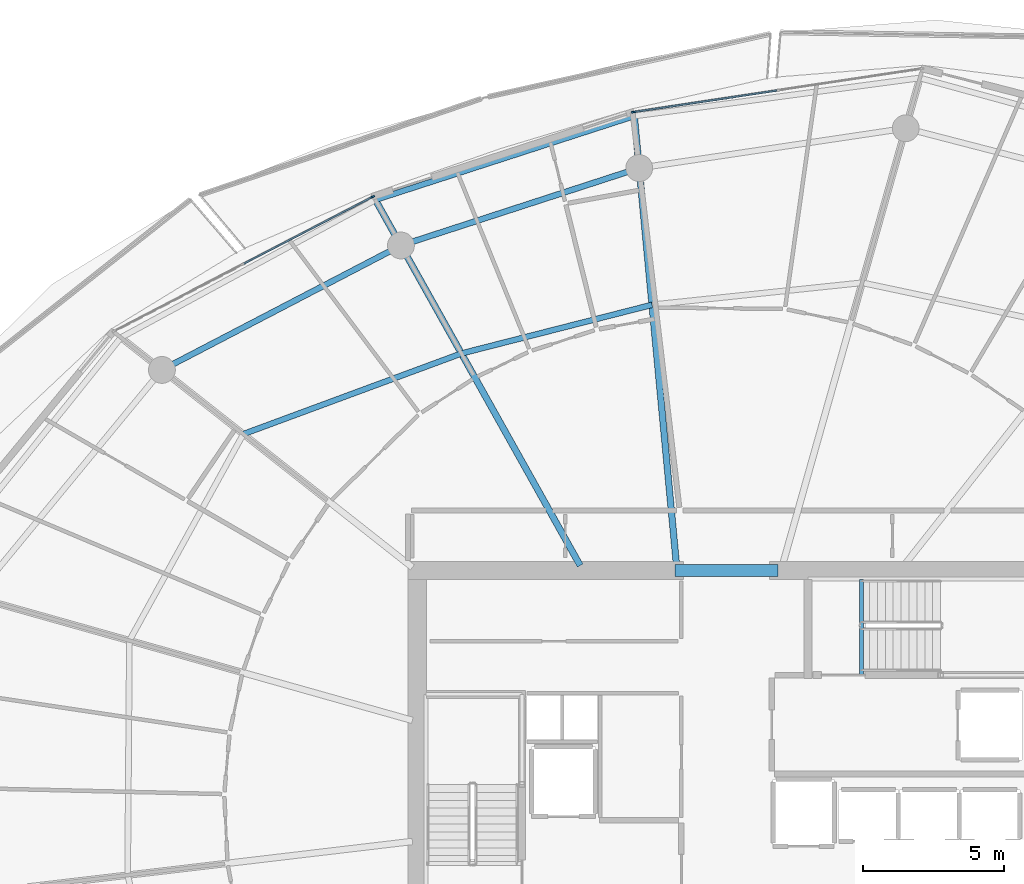
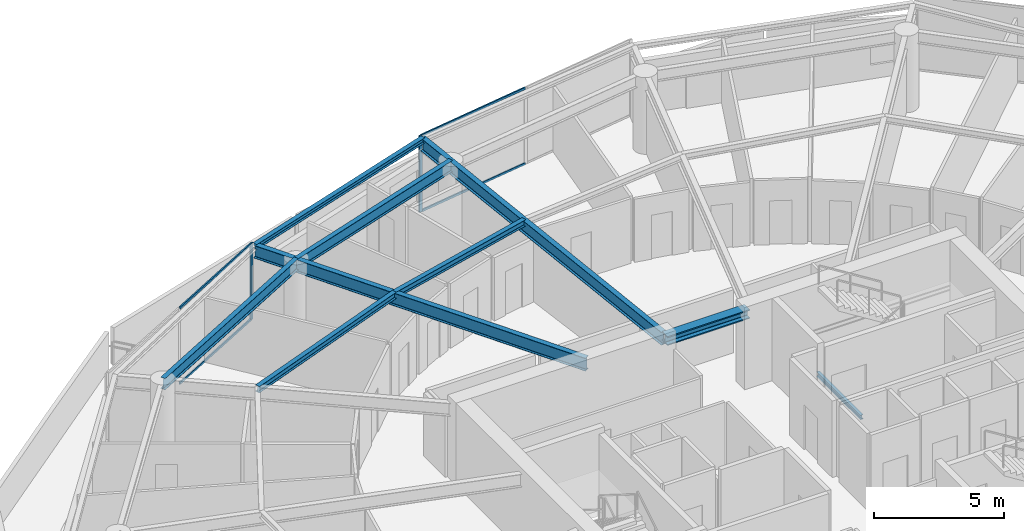
# One storey, part 13 of 30: 9 beams, 6 members, 2 elements without a shape of their own.
"""IFC4 building model written with IfcOpenShell, lengths in metres."""

from ifc_helpers import new_model, si_unit, direction, frame, origin, origin_2d, place, context, subcontext, project, spatial, rectangle, i_section, extrude, material, layer, layer_set, material_profile, profile_set, type_object, element, aggregate, save


model = new_model("IFC4")

# Units and contexts
model_context = context("Model", 3, precision=1e-05, world=origin(), true_north=direction((0.0, 1.0)))
body_context = subcontext(model_context, "Body", "Model", "MODEL_VIEW")
ifc_project = project(units=[si_unit("LENGTHUNIT", "METRE"), si_unit("AREAUNIT", "SQUARE_METRE"), si_unit("VOLUMEUNIT", "CUBIC_METRE"), si_unit("PLANEANGLEUNIT", "RADIAN"), si_unit("MASSUNIT", "GRAM", prefix="KILO")], contexts=[model_context])

# Site, building, storey
site_placement = place(None, origin())
site = spatial("IfcSite", under=ifc_project, at=site_placement, CompositionType="ELEMENT")
building_placement = place(site_placement, origin())
building = spatial("IfcBuilding", under=site, at=building_placement, Name="Kazma Halo Residences", CompositionType="ELEMENT")
storey_placement = place(building_placement, frame((0.0, 0.0, 267.5)))
storey = spatial("IfcBuildingStorey", under=building, at=storey_placement, Name="L67", CompositionType="ELEMENT", Elevation=267.5)

# Beams
ifc_material_1 = material(Name="Steel S355", Category="steel")
ifc_material_profile_1 = material_profile(ifc_material_1, i_section(OverallWidth=0.201904296875, OverallDepth=0.2470703125, WebThickness=0.00732421875, FlangeThickness=0.010986328125, FilletRadius=0.011962890625, at=origin_2d()), Name="W250x49.1")
ifc_profile_set_1 = profile_set([ifc_material_profile_1], Name="Steel S355")
beam_type_1 = type_object("IfcBeamType", Name="BM-BAL-CANT", PredefinedType="BEAM", material=ifc_profile_set_1)
beam_1_placement = place(storey_placement, frame((45.155517578125, 66.41259765625, 3.466552734375), z_axis=(-0.951357597741, -0.308088820344, 0.0), x_axis=(0.308088820344, -0.951357597741, 0.0)))
element("IfcBeam", 1, at=beam_1_placement, inside=storey, type_object=beam_type_1, Name="L67 wave-balcony tie beam 04", PredefinedType="BEAM", context=body_context, shape_type="SweptSolid", body=[
    extrude(i_section(OverallWidth=0.201904296875, OverallDepth=0.2470703125, WebThickness=0.00732421875, FlangeThickness=0.010986328125, FilletRadius=0.011962890625, at=origin_2d()), origin(), (0.0, 0.0, 1.0), 9.633544921875),
])
ifc_material_profile_2 = material_profile(ifc_material_1, i_section(OverallWidth=0.408935546875, OverallDepth=0.425048828125, WebThickness=0.03271484375, FlangeThickness=0.052490234375, FilletRadius=0.02001953125, at=origin_2d()), Name="W360x421")
ifc_profile_set_2 = profile_set([ifc_material_profile_2], Name="Steel S355")
beam_type_2 = type_object("IfcBeamType", Name="BM-CORE-W360H", PredefinedType="BEAM", material=ifc_profile_set_2)
beam_2_placement = place(storey_placement, frame((46.60009765625, 50.324951171875, 3.37744140625), z_axis=(1.0, 0.0, 0.0), x_axis=(0.0, 1.0, 0.0)))
element("IfcBeam", 2, at=beam_2_placement, inside=storey, type_object=beam_type_2, Name="L67 core coupling beam N", PredefinedType="BEAM", context=body_context, shape_type="SweptSolid", body=[
    extrude(i_section(OverallWidth=0.408935546875, OverallDepth=0.425048828125, WebThickness=0.03271484375, FlangeThickness=0.052490234375, FilletRadius=0.02001953125, at=origin_2d()), origin(), (0.0, 0.0, 1.0), 3.64990234375),
])
ifc_material_profile_3 = material_profile(ifc_material_1, i_section(OverallWidth=0.22802734375, OverallDepth=0.60791015625, WebThickness=0.01123046875, FlangeThickness=0.017333984375, FilletRadius=0.01806640625, at=origin_2d()), Name="W610x113")
ifc_profile_set_3 = profile_set([ifc_material_profile_3], Name="Steel S355")
beam_type_3 = type_object("IfcBeamType", Name="BM-RAD-W610", PredefinedType="BEAM", material=ifc_profile_set_3)
beam_3_placement = place(storey_placement, frame((46.64990234375, 50.5, 3.285888671875), z_axis=(-0.093500648044, 0.995619218786, 0.0), x_axis=(-0.995619218786, -0.093500648044, 0.0)))
element("IfcBeam", 3, at=beam_3_placement, inside=storey, type_object=beam_type_3, Name="L67 radial floor beam 04", PredefinedType="BEAM", context=body_context, shape_type="SweptSolid", body=[
    extrude(i_section(OverallWidth=0.22802734375, OverallDepth=0.60791015625, WebThickness=0.01123046875, FlangeThickness=0.017333984375, FilletRadius=0.01806640625, at=origin_2d()), origin(), (0.0, 0.0, 1.0), 15.982666015625),
])
beam_4_placement = place(storey_placement, frame((43.23974609375, 50.5, 3.285888671875), z_axis=(-0.488618902548, 0.872497316943, 0.0), x_axis=(-0.872497316943, -0.488618902548, 0.0)))
element("IfcBeam", 4, at=beam_4_placement, inside=storey, type_object=beam_type_3, Name="L67 radial floor beam 05", PredefinedType="BEAM", context=body_context, shape_type="SweptSolid", body=[
    extrude(i_section(OverallWidth=0.22802734375, OverallDepth=0.60791015625, WebThickness=0.01123046875, FlangeThickness=0.017333984375, FilletRadius=0.01806640625, at=origin_2d()), origin(), (0.0, 0.0, 1.0), 14.836181640625),
])
ifc_material_profile_4 = material_profile(ifc_material_1, i_section(OverallWidth=0.202880859375, OverallDepth=0.302978515625, WebThickness=0.007568359375, FlangeThickness=0.01318359375, FilletRadius=0.013916015625, at=origin_2d()), Name="W310x60")
ifc_profile_set_4 = profile_set([ifc_material_profile_4], Name="Steel S355")
beam_type_4 = type_object("IfcBeamType", Name="BM-SEC-W310A", PredefinedType="JOIST", material=ifc_profile_set_4)
beam_5_placement = place(storey_placement, frame((45.783203125, 59.7294921875, 3.4384765625), z_axis=(-0.968957746759, -0.2472263841, 0.0), x_axis=(0.2472263841, -0.968957746759, 0.0)))
element("IfcBeam", 5, at=beam_5_placement, inside=storey, type_object=beam_type_4, Name="L67 circumferential floor joist 04", PredefinedType="JOIST", context=body_context, shape_type="SweptSolid", body=[
    extrude(i_section(OverallWidth=0.202880859375, OverallDepth=0.302978515625, WebThickness=0.007568359375, FlangeThickness=0.01318359375, FilletRadius=0.013916015625, at=origin_2d()), origin(), (0.0, 0.0, 1.0), 6.9638671875),
])
beam_6_placement = place(storey_placement, frame((39.035400390625, 58.0078125, 3.4384765625), z_axis=(-0.937943961726, -0.346786857683, 0.0), x_axis=(0.346786857683, -0.937943961726, 0.0)))
element("IfcBeam", 6, at=beam_6_placement, inside=storey, type_object=beam_type_4, Name="L67 circumferential floor joist 05", PredefinedType="JOIST", context=body_context, shape_type="SweptSolid", body=[
    extrude(i_section(OverallWidth=0.202880859375, OverallDepth=0.302978515625, WebThickness=0.007568359375, FlangeThickness=0.01318359375, FilletRadius=0.013916015625, at=origin_2d()), origin(), (0.0, 0.0, 1.0), 8.231201171875),
])
ifc_material_profile_5 = material_profile(ifc_material_1, i_section(OverallWidth=0.208984375, OverallDepth=0.532958984375, WebThickness=0.01025390625, FlangeThickness=0.015625, FilletRadius=0.01611328125, at=origin_2d()), Name="W530x92")
ifc_profile_set_5 = profile_set([ifc_material_profile_5], Name="Steel S355")
beam_type_5 = type_object("IfcBeamType", Name="BM-SPN-W530", PredefinedType="BEAM", material=ifc_profile_set_5)
beam_7_placement = place(storey_placement, frame((45.32861328125, 64.57080078125, 3.323486328125), z_axis=(-0.951053893407, -0.309025066679, 0.0), x_axis=(0.309025066679, -0.951053893407, 0.0)))
element("IfcBeam", 7, at=beam_7_placement, inside=storey, type_object=beam_type_5, Name="L67 perimeter ring beam 04", PredefinedType="BEAM", context=body_context, shape_type="SweptSolid", body=[
    extrude(i_section(OverallWidth=0.208984375, OverallDepth=0.532958984375, WebThickness=0.01025390625, FlangeThickness=0.015625, FilletRadius=0.01611328125, at=origin_2d()), origin(), (0.0, 0.0, 1.0), 8.8681640625),
])
beam_8_placement = place(storey_placement, frame((36.89453125, 61.830322265625, 3.323486328125), z_axis=(-0.886961047115, -0.461844238788, 0.0), x_axis=(0.461844238788, -0.886961047115, 0.0)))
element("IfcBeam", 8, at=beam_8_placement, inside=storey, type_object=beam_type_5, Name="L67 perimeter ring beam 05", PredefinedType="BEAM", context=body_context, shape_type="SweptSolid", body=[
    extrude(i_section(OverallWidth=0.208984375, OverallDepth=0.532958984375, WebThickness=0.01025390625, FlangeThickness=0.015625, FilletRadius=0.01611328125, at=origin_2d()), origin(), (0.0, 0.0, 1.0), 9.5390625),
])
ifc_material_profile_6 = material_profile(ifc_material_1, i_section(OverallWidth=0.133056640625, OverallDepth=0.20703125, WebThickness=0.005859375, FlangeThickness=0.00830078125, FilletRadius=0.010009765625, at=origin_2d()), Name="W200x26.6")
ifc_profile_set_6 = profile_set([ifc_material_profile_6], Name="Steel S355")
beam_type_6 = type_object("IfcBeamType", Name="BM-TRIM-W200", PredefinedType="BEAM", material=ifc_profile_set_6)
beam_9_placement = place(storey_placement, frame((53.199951171875, 46.6201171875, -0.3701171875), z_axis=(0.0, 1.0, 0.0), x_axis=(-1.0, 0.0, 0.0)))
element("IfcBeam", 9, at=beam_9_placement, inside=storey, type_object=beam_type_6, Name="L67 ST-02 floor landing support beam", PredefinedType="BEAM", context=body_context, shape_type="SweptSolid", body=[
    extrude(i_section(OverallWidth=0.133056640625, OverallDepth=0.20703125, WebThickness=0.005859375, FlangeThickness=0.00830078125, FilletRadius=0.010009765625, at=origin_2d()), origin(), (0.0, 0.0, 1.0), 3.3798828125),
])

# Curtain wall, member
ifc_material_2 = material(Name="Aluminium AW-6063 T6 and Triple-Silver Low-E Glass", Category="aluminium")
ifc_layer = layer(ifc_material_2, 0.139892578125)
ifc_layer_set = layer_set([ifc_layer], Name="Aluminium AW-6063 T6 and Triple-Silver Low-E Glass")
curtain_wall_type = type_object("IfcCurtainWallType", Name="CW-SYS-5", PredefinedType="NOTDEFINED", material=ifc_layer_set)
curtain_wall_1_placement = place(storey_placement, origin())
curtain_wall_1 = element("IfcCurtainWall", 10, at=curtain_wall_1_placement, inside=storey, type_object=curtain_wall_type, Name="L67 unitised curtain wall B03", PredefinedType="NOTDEFINED")
ifc_material_3 = material(Name="Aluminium AW-6063 T6", Category="aluminium")
ifc_material_profile_7 = material_profile(ifc_material_3, rectangle(XDim=0.06005859375, YDim=0.139892578125, at=origin_2d()), Name="CWM-60x140")
ifc_profile_set_7 = profile_set([ifc_material_profile_7], Name="Aluminium AW-6063 T6")
member_type_1 = type_object("IfcMemberType", Name="CW-SYS-5-MUL", PredefinedType="MULLION", material=ifc_profile_set_7)
member_1_placement = place(storey_placement, frame((45.124267578125, 66.552734375, 0.0), z_axis=(0.0, 0.0, 1.0), x_axis=(0.148697080374, -0.988882792998, 0.0)))
member_1 = element("IfcMember", 11, at=member_1_placement, type_object=member_type_1, Name="CWS-5 mullion 3", PredefinedType="MULLION", context=body_context, shape_type="SweptSolid", body=[
    extrude(rectangle(XDim=0.06005859375, YDim=0.139892578125, at=origin_2d()), origin(), (0.0, 0.0, 1.0), 3.590087890625),
])

curtain_wall_2_placement = place(storey_placement, origin())
curtain_wall_2 = element("IfcCurtainWall", 12, at=curtain_wall_2_placement, inside=storey, type_object=curtain_wall_type, Name="L67 unitised curtain wall B05", PredefinedType="NOTDEFINED")
member_2_placement = place(storey_placement, frame((35.894775390625, 63.553955078125, 0.0), z_axis=(0.0, 0.0, 1.0), x_axis=(0.460960760804, -0.887420518694, 0.0)))
member_2 = element("IfcMember", 13, at=member_2_placement, type_object=member_type_1, Name="CWS-5 mullion 1", PredefinedType="MULLION", context=body_context, shape_type="SweptSolid", body=[
    extrude(rectangle(XDim=0.06005859375, YDim=0.139892578125, at=origin_2d()), origin(), (0.0, 0.0, 1.0), 3.590087890625),
])

# Member
ifc_material_profile_8 = material_profile(ifc_material_3, rectangle(XDim=0.06005859375, YDim=0.10498046875, at=origin_2d()), Name="CWT-60x105")
ifc_profile_set_8 = profile_set([ifc_material_profile_8], Name="Aluminium AW-6063 T6")
member_type_2 = type_object("IfcMemberType", Name="CW-SYS-5-TRN", PredefinedType="USERDEFINED", material=ifc_profile_set_8)
member_3_placement = place(storey_placement, frame((50.19677734375, 67.3154296875, 0.030029296875), z_axis=(-0.988882913569, -0.148696278541, 0.0), x_axis=(0.148696278541, -0.988882913569, 0.0)))
member_3 = element("IfcMember", 14, at=member_3_placement, type_object=member_type_2, Name="CWS-5 transom 2.1", ObjectType="TRANSOM", PredefinedType="USERDEFINED", context=body_context, shape_type="SweptSolid", body=[
    extrude(rectangle(XDim=0.06005859375, YDim=0.10498046875, at=origin_2d()), origin(), (0.0, 0.0, 1.0), 5.099609375),
])

member_4_placement = place(storey_placement, frame((50.19677734375, 67.3154296875, 3.56005859375), z_axis=(-0.988882913569, -0.148696278541, 0.0), x_axis=(0.148696278541, -0.988882913569, 0.0)))
member_4 = element("IfcMember", 15, at=member_4_placement, type_object=member_type_2, Name="CWS-5 transom 2.2", ObjectType="TRANSOM", PredefinedType="USERDEFINED", context=body_context, shape_type="SweptSolid", body=[
    extrude(rectangle(XDim=0.06005859375, YDim=0.10498046875, at=origin_2d()), origin(), (0.0, 0.0, 1.0), 5.099609375),
])

aggregate(curtain_wall_1, [member_1, member_3, member_4])

member_5_placement = place(storey_placement, frame((35.8681640625, 63.5400390625, 0.030029296875), z_axis=(-0.887436955863, -0.46092911534, 0.0), x_axis=(0.46092911534, -0.887436955863, 0.0)))
member_5 = element("IfcMember", 16, at=member_5_placement, type_object=member_type_2, Name="CWS-5 transom 1.1", ObjectType="TRANSOM", PredefinedType="USERDEFINED", context=body_context, shape_type="SweptSolid", body=[
    extrude(rectangle(XDim=0.06005859375, YDim=0.10498046875, at=origin_2d()), origin(), (0.0, 0.0, 1.0), 5.099609375),
])

member_6_placement = place(storey_placement, frame((35.8681640625, 63.5400390625, 3.56005859375), z_axis=(-0.887436955863, -0.46092911534, 0.0), x_axis=(0.46092911534, -0.887436955863, 0.0)))
member_6 = element("IfcMember", 17, at=member_6_placement, type_object=member_type_2, Name="CWS-5 transom 1.2", ObjectType="TRANSOM", PredefinedType="USERDEFINED", context=body_context, shape_type="SweptSolid", body=[
    extrude(rectangle(XDim=0.06005859375, YDim=0.10498046875, at=origin_2d()), origin(), (0.0, 0.0, 1.0), 5.099609375),
])

aggregate(curtain_wall_2, [member_2, member_5, member_6])

save(model, "model.ifc")
